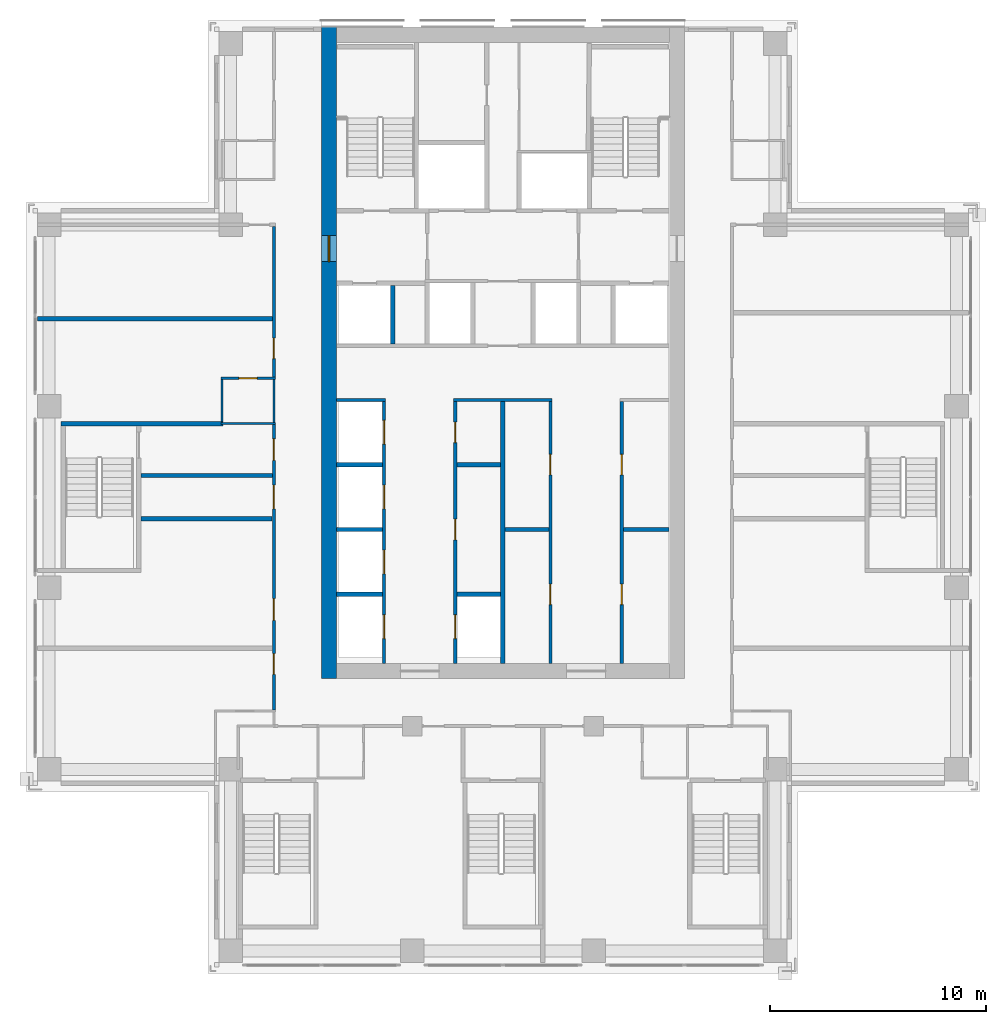
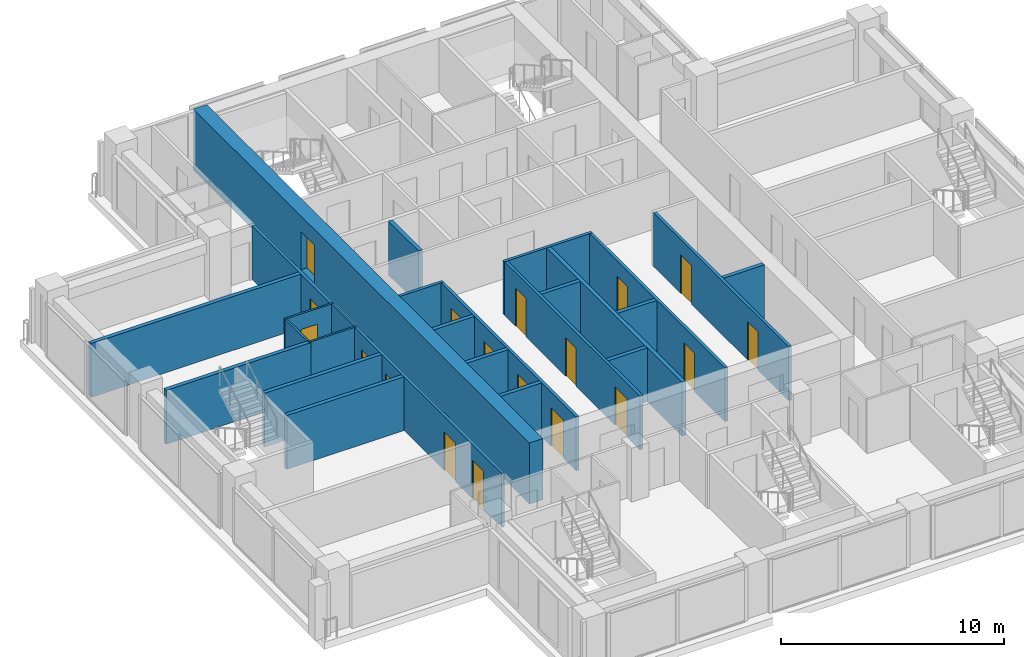
# One storey, part 10 of 16: 26 walls, 18 doors, 18 openings.
"""IFC4 building model written with IfcOpenShell, lengths in metres."""

from ifc_helpers import new_model, si_unit, direction, frame, frame_2d, origin, place, context, subcontext, project, spatial, rectangle, extrude, material, layer, layer_set, type_object, element, fill, save


model = new_model("IFC4")

# Units and contexts
model_context = context("Model", 3, precision=1e-05, world=origin(), true_north=direction((0.0, 1.0)))
body_context = subcontext(model_context, "Body", "Model", "MODEL_VIEW")
ifc_project = project(units=[si_unit("LENGTHUNIT", "METRE"), si_unit("AREAUNIT", "SQUARE_METRE"), si_unit("VOLUMEUNIT", "CUBIC_METRE"), si_unit("PLANEANGLEUNIT", "RADIAN"), si_unit("MASSUNIT", "GRAM", prefix="KILO")], contexts=[model_context])

# Site, building, storey
site_placement = place(None, origin())
site = spatial("IfcSite", under=ifc_project, at=site_placement, CompositionType="ELEMENT")
building_placement = place(site_placement, origin())
building = spatial("IfcBuilding", under=site, at=building_placement, Name="Vermilion Ogive Tower", CompositionType="ELEMENT")
storey_placement = place(building_placement, frame((0.0, 0.0, 167.60009765625)))
storey = spatial("IfcBuildingStorey", under=building, at=storey_placement, Name="L43", CompositionType="ELEMENT", Elevation=167.60009765625)

# Wall
ifc_material_1 = material(Name="Gypsum board partition on steel studs", Category="steel")
ifc_layer_1 = layer(ifc_material_1, 0.10009765625)
ifc_layer_set_1 = layer_set([ifc_layer_1], Name="Partition 100 bath")
wall_type_1 = type_object("IfcWallType", Name="Partition 100 bath", PredefinedType="PARTITIONING", material=ifc_layer_set_1)
wall_1_placement = place(storey_placement, frame((-13.050048828125, 3.39990234375, 0.0), z_axis=(0.0, 0.0, 1.0), x_axis=(1.0, 0.0, 0.0)))
element("IfcWall", 1, at=wall_1_placement, inside=storey, type_object=wall_type_1, Name="L43-W-W025", PredefinedType="PARTITIONING", context=body_context, shape_type="SweptSolid", body=[
    extrude(rectangle(XDim=2.525146484375, YDim=0.10009765625, at=frame_2d((1.2626953125, 0.0))), origin(), (0.0, 0.0, 1.0), 2.949951171875),
])

# Wall, opening, door
wall_2_placement = place(storey_placement, frame((-13.048095703125, 5.5, 0.0), z_axis=(0.0, 0.0, 1.0), x_axis=(1.0, 0.0, 0.0)))
wall_2 = element("IfcWall", 2, at=wall_2_placement, inside=storey, type_object=wall_type_1, Name="L43-W-W027", PredefinedType="PARTITIONING", context=body_context, shape_type="SweptSolid", body=[
    extrude(rectangle(XDim=2.523193359375, YDim=0.10009765625, at=frame_2d((1.26171875, 0.0))), origin(), (0.0, 0.0, 1.0), 2.949951171875),
])
opening_1_placement = place(wall_2_placement, frame((0.822998046875, 0.0, 0.0)))
opening_1 = element("IfcOpeningElement", 3, at=opening_1_placement, cuts=wall_2, Name="Opening D3G5004", PredefinedType="OPENING", context=body_context, shape_type="SweptSolid", body=[
    extrude(rectangle(XDim=0.85009765625, YDim=2.10009765625, at=frame_2d((0.425048828125, 1.050048828125))), frame((0.0, 0.06005859375, 0.0), z_axis=(0.0, -1.0, 0.0), x_axis=(1.0, 0.0, 0.0)), (0.0, 0.0, 1.0), 0.1201171875),
])
ifc_material_2 = material(Name="Timber door leaf", Category="wood")
door_type_1 = type_object("IfcDoorType", Name="Bath door 850 x 2100 FD30", OperationType="SINGLE_SWING_LEFT", PredefinedType="DOOR", material=ifc_material_2)
door_1_placement = place(opening_1_placement, origin())
door_1 = element("IfcDoor", 4, at=door_1_placement, inside=storey, type_object=door_type_1, Name="L43-D-D004", OperationType="SINGLE_SWING_RIGHT", OverallHeight=2.10009765625, OverallWidth=0.85009765625, PredefinedType="DOOR", context=body_context, shape_type="SweptSolid", body=[
    extrude(rectangle(XDim=0.85009765625, YDim=2.10009765625, at=frame_2d((0.425048828125, 1.050048828125))), frame((0.0, 0.02490234375, 0.0), z_axis=(0.0, -1.0, 0.0), x_axis=(1.0, 0.0, 0.0)), (0.0, 0.0, 1.0), 0.050048828125),
])
fill(opening_1, door_1)

# Walls
wall_3_placement = place(storey_placement, frame((-13.0, 3.5, 0.0), z_axis=(0.0, 0.0, 1.0), x_axis=(0.0, 1.0, 0.0)))
element("IfcWall", 5, at=wall_3_placement, inside=storey, type_object=wall_type_1, Name="L43-W-W041", PredefinedType="PARTITIONING", context=body_context, shape_type="SweptSolid", body=[
    extrude(rectangle(XDim=1.947998046875, YDim=0.10009765625, at=frame_2d((0.97412109375, 0.0))), origin(), (0.0, 0.0, 1.0), 2.949951171875),
])
wall_4_placement = place(storey_placement, frame((-10.60009765625, 3.449951171875, 0.0), z_axis=(0.0, 0.0, 1.0), x_axis=(0.0, 1.0, 0.0)))
element("IfcWall", 6, at=wall_4_placement, inside=storey, type_object=wall_type_1, Name="L43-W-W046", PredefinedType="PARTITIONING", context=body_context, shape_type="SweptSolid", body=[
    extrude(rectangle(XDim=2.0, YDim=0.10009765625, at=frame_2d((1.0, 0.0))), origin(), (0.0, 0.0, 1.0), 2.949951171875),
])

# Wall, openings, doors
ifc_material_3 = material(Name="Gypsum board partition on steel studs", Category="steel")
ifc_layer_2 = layer(ifc_material_3, 0.14990234375)
ifc_layer_set_2 = layer_set([ifc_layer_2], Name="Partition 150 corridor")
wall_type_2 = type_object("IfcWallType", Name="Partition 150 corridor", PredefinedType="PARTITIONING", material=ifc_layer_set_2)
wall_5_placement = place(storey_placement, frame((-10.60009765625, -9.85009765625, 0.0), z_axis=(0.0, 0.0, 1.0), x_axis=(0.0, 1.0, 0.0)))
wall_5 = element("IfcWall", 7, at=wall_5_placement, inside=storey, type_object=wall_type_2, Name="L43-W-W045", PredefinedType="PARTITIONING", context=body_context, shape_type="SweptSolid", body=[
    extrude(rectangle(XDim=13.2001953125, YDim=0.14990234375, at=frame_2d((6.60009765625, 0.0))), origin(), (0.0, 0.0, 1.0), 2.949951171875),
])
opening_2_placement = place(wall_5_placement, frame((1.650146484375, 0.0, 0.0)))
opening_2 = element("IfcOpeningElement", 8, at=opening_2_placement, cuts=wall_5, Name="Opening D3G5001", PredefinedType="OPENING", context=body_context, shape_type="SweptSolid", body=[
    extrude(rectangle(XDim=0.949951171875, YDim=2.10009765625, at=frame_2d((0.47509765625, 1.050048828125))), frame((0.0, 0.0849609375, 0.0), z_axis=(0.0, -1.0, 0.0), x_axis=(1.0, 0.0, 0.0)), (0.0, 0.0, 1.0), 0.169921875),
])
opening_3_placement = place(wall_5_placement, frame((9.300048828125, 0.0, 0.0)))
opening_3 = element("IfcOpeningElement", 9, at=opening_3_placement, cuts=wall_5, Name="Opening D3G5026", PredefinedType="OPENING", context=body_context, shape_type="SweptSolid", body=[
    extrude(rectangle(XDim=1.10009765625, YDim=2.10009765625, at=frame_2d((0.550048828125, 1.050048828125))), frame((0.0, 0.0849609375, 0.0), z_axis=(0.0, -1.0, 0.0), x_axis=(1.0, 0.0, 0.0)), (0.0, 0.0, 1.0), 0.169921875),
])
opening_4_placement = place(wall_5_placement, frame((4.150146484375, 0.0, 0.0)))
opening_4 = element("IfcOpeningElement", 10, at=opening_4_placement, cuts=wall_5, Name="Opening D3G5028", PredefinedType="OPENING", context=body_context, shape_type="SweptSolid", body=[
    extrude(rectangle(XDim=1.0, YDim=2.10009765625, at=frame_2d((0.5, 1.050048828125))), frame((0.0, 0.0849609375, 0.0), z_axis=(0.0, -1.0, 0.0), x_axis=(1.0, 0.0, 0.0)), (0.0, 0.0, 1.0), 0.169921875),
])
opening_5_placement = place(wall_5_placement, frame((11.550048828125, 0.0, 0.0)))
opening_5 = element("IfcOpeningElement", 11, at=opening_5_placement, cuts=wall_5, Name="Opening D3G5030", PredefinedType="OPENING", context=body_context, shape_type="SweptSolid", body=[
    extrude(rectangle(XDim=1.0, YDim=2.10009765625, at=frame_2d((0.5, 1.050048828125))), frame((0.0, 0.0849609375, 0.0), z_axis=(0.0, -1.0, 0.0), x_axis=(1.0, 0.0, 0.0)), (0.0, 0.0, 1.0), 0.169921875),
])
ifc_material_4 = material(Name="Timber door leaf", Category="wood")
door_type_2 = type_object("IfcDoorType", Name="Stair door 1100 x 2100 FD60S", OperationType="SINGLE_SWING_LEFT", PredefinedType="DOOR", material=ifc_material_4)
door_2_placement = place(opening_3_placement, origin())
door_2 = element("IfcDoor", 12, at=door_2_placement, inside=storey, type_object=door_type_2, Name="L43-D-D026", OperationType="SINGLE_SWING_RIGHT", OverallHeight=2.10009765625, OverallWidth=1.10009765625, PredefinedType="DOOR", context=body_context, shape_type="SweptSolid", body=[
    extrude(rectangle(XDim=1.10009765625, YDim=2.10009765625, at=frame_2d((0.550048828125, 1.050048828125))), frame((0.0, 0.02490234375, 0.0), z_axis=(0.0, -1.0, 0.0), x_axis=(1.0, 0.0, 0.0)), (0.0, 0.0, 1.0), 0.050048828125),
])
fill(opening_3, door_2)
ifc_material_5 = material(Name="Timber door leaf", Category="wood")
door_type_3 = type_object("IfcDoorType", Name="Unit door 1000 x 2100 FD30S", OperationType="SINGLE_SWING_LEFT", PredefinedType="DOOR", material=ifc_material_5)
door_3_placement = place(opening_4_placement, origin())
door_3 = element("IfcDoor", 13, at=door_3_placement, inside=storey, type_object=door_type_3, Name="L43-D-D028", OperationType="SINGLE_SWING_LEFT", OverallHeight=2.10009765625, OverallWidth=1.0, PredefinedType="DOOR", context=body_context, shape_type="SweptSolid", body=[
    extrude(rectangle(XDim=1.0, YDim=2.10009765625, at=frame_2d((0.5, 1.050048828125))), frame((0.0, 0.02490234375, 0.0), z_axis=(0.0, -1.0, 0.0), x_axis=(1.0, 0.0, 0.0)), (0.0, 0.0, 1.0), 0.050048828125),
])
fill(opening_4, door_3)
door_4_placement = place(opening_5_placement, origin())
door_4 = element("IfcDoor", 14, at=door_4_placement, inside=storey, type_object=door_type_3, Name="L43-D-D030", OperationType="SINGLE_SWING_RIGHT", OverallHeight=2.10009765625, OverallWidth=1.0, PredefinedType="DOOR", context=body_context, shape_type="SweptSolid", body=[
    extrude(rectangle(XDim=1.0, YDim=2.10009765625, at=frame_2d((0.5, 1.050048828125))), frame((0.0, 0.02490234375, 0.0), z_axis=(0.0, -1.0, 0.0), x_axis=(1.0, 0.0, 0.0)), (0.0, 0.0, 1.0), 0.050048828125),
])
fill(opening_5, door_4)
ifc_material_6 = material(Name="Timber door leaf", Category="wood")
door_type_4 = type_object("IfcDoorType", Name="Unit door 950 x 2100 FD30S", OperationType="SINGLE_SWING_LEFT", PredefinedType="DOOR", material=ifc_material_6)
door_5_placement = place(opening_2_placement, origin())
door_5 = element("IfcDoor", 15, at=door_5_placement, inside=storey, type_object=door_type_4, Name="L43-D-D001", OperationType="SINGLE_SWING_RIGHT", OverallHeight=2.10009765625, OverallWidth=0.949951171875, PredefinedType="DOOR", context=body_context, shape_type="SweptSolid", body=[
    extrude(rectangle(XDim=0.949951171875, YDim=2.10009765625, at=frame_2d((0.47509765625, 1.050048828125))), frame((0.0, 0.02490234375, 0.0), z_axis=(0.0, -1.0, 0.0), x_axis=(1.0, 0.0, 0.0)), (0.0, 0.0, 1.0), 0.050048828125),
])
fill(opening_2, door_5)

# Wall, opening, door
wall_6_placement = place(storey_placement, frame((-10.60009765625, 5.550048828125, 0.0), z_axis=(0.0, 0.0, 1.0), x_axis=(0.0, 1.0, 0.0)))
wall_6 = element("IfcWall", 16, at=wall_6_placement, inside=storey, type_object=wall_type_2, Name="L43-W-W047", PredefinedType="PARTITIONING", context=body_context, shape_type="SweptSolid", body=[
    extrude(rectangle(XDim=6.974853515625, YDim=0.14990234375, at=frame_2d((3.4873046875, 0.0))), origin(), (0.0, 0.0, 1.0), 2.949951171875),
])
opening_6_placement = place(wall_6_placement, frame((0.85498046875, 0.0, 0.0)))
opening_6 = element("IfcOpeningElement", 17, at=opening_6_placement, cuts=wall_6, Name="Opening D3G5003", PredefinedType="OPENING", context=body_context, shape_type="SweptSolid", body=[
    extrude(rectangle(XDim=0.949951171875, YDim=2.10009765625, at=frame_2d((0.47509765625, 1.050048828125))), frame((0.0, 0.0849609375, 0.0), z_axis=(0.0, -1.0, 0.0), x_axis=(1.0, 0.0, 0.0)), (0.0, 0.0, 1.0), 0.169921875),
])
door_6_placement = place(opening_6_placement, origin())
door_6 = element("IfcDoor", 18, at=door_6_placement, inside=storey, type_object=door_type_4, Name="L43-D-D003", OperationType="SINGLE_SWING_LEFT", OverallHeight=2.10009765625, OverallWidth=0.949951171875, PredefinedType="DOOR", context=body_context, shape_type="SweptSolid", body=[
    extrude(rectangle(XDim=0.949951171875, YDim=2.10009765625, at=frame_2d((0.47509765625, 1.050048828125))), frame((0.0, 0.02490234375, 0.0), z_axis=(0.0, -1.0, 0.0), x_axis=(1.0, 0.0, 0.0)), (0.0, 0.0, 1.0), 0.050048828125),
])
fill(opening_6, door_6)

# Walls
wall_7_placement = place(storey_placement, frame((-7.698974609375, 4.5, 0.0), z_axis=(0.0, 0.0, 1.0), x_axis=(1.0, 0.0, 0.0)))
element("IfcWall", 19, at=wall_7_placement, inside=storey, type_object=wall_type_2, Name="L43-CK-W-W008", PredefinedType="PARTITIONING", context=body_context, shape_type="SweptSolid", body=[
    extrude(rectangle(XDim=2.27392578125, YDim=0.14990234375, at=frame_2d((1.136962890625, 0.0))), origin(), (0.0, 0.0, 1.0), 2.949951171875),
])
wall_8_placement = place(storey_placement, frame((-2.27490234375, 4.5, 0.0), z_axis=(0.0, 0.0, 1.0), x_axis=(1.0, 0.0, 0.0)))
element("IfcWall", 20, at=wall_8_placement, inside=storey, type_object=wall_type_2, Name="L43-CK-W-W009", PredefinedType="PARTITIONING", context=body_context, shape_type="SweptSolid", body=[
    extrude(rectangle(XDim=4.5498046875, YDim=0.14990234375, at=frame_2d((2.27490234375, 0.0))), origin(), (0.0, 0.0, 1.0), 2.949951171875),
])

# Wall, openings, doors
wall_9_placement = place(storey_placement, frame((-5.5, -7.698974609375, 0.0), z_axis=(0.0, 0.0, 1.0), x_axis=(0.0, 1.0, 0.0)))
wall_9 = element("IfcWall", 21, at=wall_9_placement, inside=storey, type_object=wall_type_2, Name="L43-CK-W-W020", PredefinedType="PARTITIONING", context=body_context, shape_type="SweptSolid", body=[
    extrude(rectangle(XDim=12.1240234375, YDim=0.14990234375, at=frame_2d((6.06201171875, 0.0))), origin(), (0.0, 0.0, 1.0), 2.949951171875),
])
opening_7_placement = place(wall_9_placement, frame((1.14892578125, 0.0, 0.0)))
opening_7 = element("IfcOpeningElement", 22, at=opening_7_placement, cuts=wall_9, Name="Opening DAA386", PredefinedType="OPENING", context=body_context, shape_type="SweptSolid", body=[
    extrude(rectangle(XDim=1.10009765625, YDim=2.10009765625, at=frame_2d((0.550048828125, 1.050048828125))), frame((0.0, 0.0849609375, 0.0), z_axis=(0.0, -1.0, 0.0), x_axis=(1.0, 0.0, 0.0)), (0.0, 0.0, 1.0), 0.169921875),
])
opening_8_placement = place(wall_9_placement, frame((4.14892578125, 0.0, 0.0)))
opening_8 = element("IfcOpeningElement", 23, at=opening_8_placement, cuts=wall_9, Name="Opening DAA387", PredefinedType="OPENING", context=body_context, shape_type="SweptSolid", body=[
    extrude(rectangle(XDim=1.10009765625, YDim=2.10009765625, at=frame_2d((0.550048828125, 1.050048828125))), frame((0.0, 0.0849609375, 0.0), z_axis=(0.0, -1.0, 0.0), x_axis=(1.0, 0.0, 0.0)), (0.0, 0.0, 1.0), 0.169921875),
])
opening_9_placement = place(wall_9_placement, frame((7.14892578125, 0.0, 0.0)))
opening_9 = element("IfcOpeningElement", 24, at=opening_9_placement, cuts=wall_9, Name="Opening DAA388", PredefinedType="OPENING", context=body_context, shape_type="SweptSolid", body=[
    extrude(rectangle(XDim=1.10009765625, YDim=2.10009765625, at=frame_2d((0.550048828125, 1.050048828125))), frame((0.0, 0.0849609375, 0.0), z_axis=(0.0, -1.0, 0.0), x_axis=(1.0, 0.0, 0.0)), (0.0, 0.0, 1.0), 0.169921875),
])
opening_10_placement = place(wall_9_placement, frame((10.14892578125, 0.0, 0.0)))
opening_10 = element("IfcOpeningElement", 25, at=opening_10_placement, cuts=wall_9, Name="Opening DAA389", PredefinedType="OPENING", context=body_context, shape_type="SweptSolid", body=[
    extrude(rectangle(XDim=1.10009765625, YDim=2.10009765625, at=frame_2d((0.550048828125, 1.050048828125))), frame((0.0, 0.0849609375, 0.0), z_axis=(0.0, -1.0, 0.0), x_axis=(1.0, 0.0, 0.0)), (0.0, 0.0, 1.0), 0.169921875),
])
ifc_material_7 = material(Name="Stainless steel", Category="steel")
door_type_5 = type_object("IfcDoorType", Name="Lift landing door 1100 x 2100", OperationType="SLIDING_TO_LEFT", PredefinedType="DOOR", material=ifc_material_7)
door_7_placement = place(opening_7_placement, origin())
door_7 = element("IfcDoor", 26, at=door_7_placement, inside=storey, type_object=door_type_5, Name="L43-CK-D-D001", OperationType="SLIDING_TO_LEFT", OverallHeight=2.10009765625, OverallWidth=1.10009765625, PredefinedType="DOOR", context=body_context, shape_type="SweptSolid", body=[
    extrude(rectangle(XDim=1.10009765625, YDim=2.10009765625, at=frame_2d((0.550048828125, 1.050048828125))), frame((0.0, 0.02490234375, 0.0), z_axis=(0.0, -1.0, 0.0), x_axis=(1.0, 0.0, 0.0)), (0.0, 0.0, 1.0), 0.050048828125),
])
fill(opening_7, door_7)
door_8_placement = place(opening_8_placement, origin())
door_8 = element("IfcDoor", 27, at=door_8_placement, inside=storey, type_object=door_type_5, Name="L43-CK-D-D002", OperationType="SLIDING_TO_LEFT", OverallHeight=2.10009765625, OverallWidth=1.10009765625, PredefinedType="DOOR", context=body_context, shape_type="SweptSolid", body=[
    extrude(rectangle(XDim=1.10009765625, YDim=2.10009765625, at=frame_2d((0.550048828125, 1.050048828125))), frame((0.0, 0.02490234375, 0.0), z_axis=(0.0, -1.0, 0.0), x_axis=(1.0, 0.0, 0.0)), (0.0, 0.0, 1.0), 0.050048828125),
])
fill(opening_8, door_8)
door_9_placement = place(opening_9_placement, origin())
door_9 = element("IfcDoor", 28, at=door_9_placement, inside=storey, type_object=door_type_5, Name="L43-CK-D-D003", OperationType="SLIDING_TO_LEFT", OverallHeight=2.10009765625, OverallWidth=1.10009765625, PredefinedType="DOOR", context=body_context, shape_type="SweptSolid", body=[
    extrude(rectangle(XDim=1.10009765625, YDim=2.10009765625, at=frame_2d((0.550048828125, 1.050048828125))), frame((0.0, 0.02490234375, 0.0), z_axis=(0.0, -1.0, 0.0), x_axis=(1.0, 0.0, 0.0)), (0.0, 0.0, 1.0), 0.050048828125),
])
fill(opening_9, door_9)
door_10_placement = place(opening_10_placement, origin())
door_10 = element("IfcDoor", 29, at=door_10_placement, inside=storey, type_object=door_type_5, Name="L43-CK-D-D004", OperationType="SLIDING_TO_LEFT", OverallHeight=2.10009765625, OverallWidth=1.10009765625, PredefinedType="DOOR", context=body_context, shape_type="SweptSolid", body=[
    extrude(rectangle(XDim=1.10009765625, YDim=2.10009765625, at=frame_2d((0.550048828125, 1.050048828125))), frame((0.0, 0.02490234375, 0.0), z_axis=(0.0, -1.0, 0.0), x_axis=(1.0, 0.0, 0.0)), (0.0, 0.0, 1.0), 0.050048828125),
])
fill(opening_10, door_10)

wall_10_placement = place(storey_placement, frame((-2.199951171875, -7.698974609375, 0.0), z_axis=(0.0, 0.0, 1.0), x_axis=(0.0, 1.0, 0.0)))
wall_10 = element("IfcWall", 30, at=wall_10_placement, inside=storey, type_object=wall_type_2, Name="L43-CK-W-W025", PredefinedType="PARTITIONING", context=body_context, shape_type="SweptSolid", body=[
    extrude(rectangle(XDim=12.1240234375, YDim=0.14990234375, at=frame_2d((6.06201171875, 0.0))), origin(), (0.0, 0.0, 1.0), 2.949951171875),
])
opening_11_placement = place(wall_10_placement, frame((1.14892578125, 0.0, 0.0)))
opening_11 = element("IfcOpeningElement", 31, at=opening_11_placement, cuts=wall_10, Name="Opening DAA390", PredefinedType="OPENING", context=body_context, shape_type="SweptSolid", body=[
    extrude(rectangle(XDim=1.10009765625, YDim=2.10009765625, at=frame_2d((0.550048828125, 1.050048828125))), frame((0.0, 0.0849609375, 0.0), z_axis=(0.0, -1.0, 0.0), x_axis=(1.0, 0.0, 0.0)), (0.0, 0.0, 1.0), 0.169921875),
])
opening_12_placement = place(wall_10_placement, frame((5.723876953125, 0.0, 0.0)))
opening_12 = element("IfcOpeningElement", 32, at=opening_12_placement, cuts=wall_10, Name="Opening DAA376", PredefinedType="OPENING", context=body_context, shape_type="SweptSolid", body=[
    extrude(rectangle(XDim=0.949951171875, YDim=2.10009765625, at=frame_2d((0.47509765625, 1.050048828125))), frame((0.0, 0.0849609375, 0.0), z_axis=(0.0, -1.0, 0.0), x_axis=(1.0, 0.0, 0.0)), (0.0, 0.0, 1.0), 0.169921875),
])
opening_13_placement = place(wall_10_placement, frame((10.223876953125, 0.0, 0.0)))
opening_13 = element("IfcOpeningElement", 33, at=opening_13_placement, cuts=wall_10, Name="Opening DAA377", PredefinedType="OPENING", context=body_context, shape_type="SweptSolid", body=[
    extrude(rectangle(XDim=0.949951171875, YDim=2.10009765625, at=frame_2d((0.47509765625, 1.050048828125))), frame((0.0, 0.0849609375, 0.0), z_axis=(0.0, -1.0, 0.0), x_axis=(1.0, 0.0, 0.0)), (0.0, 0.0, 1.0), 0.169921875),
])
door_11_placement = place(opening_11_placement, origin())
door_11 = element("IfcDoor", 34, at=door_11_placement, inside=storey, type_object=door_type_5, Name="L43-CK-D-D005", OperationType="SLIDING_TO_LEFT", OverallHeight=2.10009765625, OverallWidth=1.10009765625, PredefinedType="DOOR", context=body_context, shape_type="SweptSolid", body=[
    extrude(rectangle(XDim=1.10009765625, YDim=2.10009765625, at=frame_2d((0.550048828125, 1.050048828125))), frame((0.0, 0.02490234375, 0.0), z_axis=(0.0, -1.0, 0.0), x_axis=(1.0, 0.0, 0.0)), (0.0, 0.0, 1.0), 0.050048828125),
])
fill(opening_11, door_11)
ifc_material_8 = material(Name="Timber door leaf", Category="wood")
door_type_6 = type_object("IfcDoorType", Name="Service door 950 x 2100 FD60", OperationType="SINGLE_SWING_LEFT", PredefinedType="DOOR", material=ifc_material_8)
door_12_placement = place(opening_12_placement, origin())
door_12 = element("IfcDoor", 35, at=door_12_placement, inside=storey, type_object=door_type_6, Name="L43-CK-D-D006", OperationType="SINGLE_SWING_LEFT", OverallHeight=2.10009765625, OverallWidth=0.949951171875, PredefinedType="DOOR", context=body_context, shape_type="SweptSolid", body=[
    extrude(rectangle(XDim=0.949951171875, YDim=2.10009765625, at=frame_2d((0.47509765625, 1.050048828125))), frame((0.0, 0.02490234375, 0.0), z_axis=(0.0, -1.0, 0.0), x_axis=(1.0, 0.0, 0.0)), (0.0, 0.0, 1.0), 0.050048828125),
])
fill(opening_12, door_12)
door_13_placement = place(opening_13_placement, origin())
door_13 = element("IfcDoor", 36, at=door_13_placement, inside=storey, type_object=door_type_6, Name="L43-CK-D-D007", OperationType="SINGLE_SWING_RIGHT", OverallHeight=2.10009765625, OverallWidth=0.949951171875, PredefinedType="DOOR", context=body_context, shape_type="SweptSolid", body=[
    extrude(rectangle(XDim=0.949951171875, YDim=2.10009765625, at=frame_2d((0.47509765625, 1.050048828125))), frame((0.0, 0.02490234375, 0.0), z_axis=(0.0, -1.0, 0.0), x_axis=(1.0, 0.0, 0.0)), (0.0, 0.0, 1.0), 0.050048828125),
])
fill(opening_13, door_13)

wall_11_placement = place(storey_placement, frame((2.199951171875, -7.698974609375, 0.0), z_axis=(0.0, 0.0, 1.0), x_axis=(0.0, 1.0, 0.0)))
wall_11 = element("IfcWall", 37, at=wall_11_placement, inside=storey, type_object=wall_type_2, Name="L43-CK-W-W032", PredefinedType="PARTITIONING", context=body_context, shape_type="SweptSolid", body=[
    extrude(rectangle(XDim=12.1240234375, YDim=0.14990234375, at=frame_2d((6.06201171875, 0.0))), origin(), (0.0, 0.0, 1.0), 2.949951171875),
])
opening_14_placement = place(wall_11_placement, frame((2.723876953125, 0.0, 0.0)))
opening_14 = element("IfcOpeningElement", 38, at=opening_14_placement, cuts=wall_11, Name="Opening DAA378", PredefinedType="OPENING", context=body_context, shape_type="SweptSolid", body=[
    extrude(rectangle(XDim=0.949951171875, YDim=2.10009765625, at=frame_2d((0.47509765625, 1.050048828125))), frame((0.0, 0.0849609375, 0.0), z_axis=(0.0, -1.0, 0.0), x_axis=(1.0, 0.0, 0.0)), (0.0, 0.0, 1.0), 0.169921875),
])
opening_15_placement = place(wall_11_placement, frame((8.723876953125, 0.0, 0.0)))
opening_15 = element("IfcOpeningElement", 39, at=opening_15_placement, cuts=wall_11, Name="Opening DAA379", PredefinedType="OPENING", context=body_context, shape_type="SweptSolid", body=[
    extrude(rectangle(XDim=0.949951171875, YDim=2.10009765625, at=frame_2d((0.47509765625, 1.050048828125))), frame((0.0, 0.0849609375, 0.0), z_axis=(0.0, -1.0, 0.0), x_axis=(1.0, 0.0, 0.0)), (0.0, 0.0, 1.0), 0.169921875),
])
door_14_placement = place(opening_14_placement, origin())
door_14 = element("IfcDoor", 40, at=door_14_placement, inside=storey, type_object=door_type_6, Name="L43-CK-D-D008", OperationType="SINGLE_SWING_RIGHT", OverallHeight=2.10009765625, OverallWidth=0.949951171875, PredefinedType="DOOR", context=body_context, shape_type="SweptSolid", body=[
    extrude(rectangle(XDim=0.949951171875, YDim=2.10009765625, at=frame_2d((0.47509765625, 1.050048828125))), frame((0.0, 0.02490234375, 0.0), z_axis=(0.0, -1.0, 0.0), x_axis=(1.0, 0.0, 0.0)), (0.0, 0.0, 1.0), 0.050048828125),
])
fill(opening_14, door_14)
door_15_placement = place(opening_15_placement, origin())
door_15 = element("IfcDoor", 41, at=door_15_placement, inside=storey, type_object=door_type_6, Name="L43-CK-D-D009", OperationType="SINGLE_SWING_RIGHT", OverallHeight=2.10009765625, OverallWidth=0.949951171875, PredefinedType="DOOR", context=body_context, shape_type="SweptSolid", body=[
    extrude(rectangle(XDim=0.949951171875, YDim=2.10009765625, at=frame_2d((0.47509765625, 1.050048828125))), frame((0.0, 0.02490234375, 0.0), z_axis=(0.0, -1.0, 0.0), x_axis=(1.0, 0.0, 0.0)), (0.0, 0.0, 1.0), 0.050048828125),
])
fill(opening_15, door_15)

wall_12_placement = place(storey_placement, frame((5.5, -7.698974609375, 0.0), z_axis=(0.0, 0.0, 1.0), x_axis=(0.0, 1.0, 0.0)))
wall_12 = element("IfcWall", 42, at=wall_12_placement, inside=storey, type_object=wall_type_2, Name="L43-CK-W-W038", PredefinedType="PARTITIONING", context=body_context, shape_type="SweptSolid", body=[
    extrude(rectangle(XDim=12.1240234375, YDim=0.14990234375, at=frame_2d((6.06201171875, 0.0))), origin(), (0.0, 0.0, 1.0), 2.949951171875),
])
opening_16_placement = place(wall_12_placement, frame((2.723876953125, 0.0, 0.0)))
opening_16 = element("IfcOpeningElement", 43, at=opening_16_placement, cuts=wall_12, Name="Opening DAA380", PredefinedType="OPENING", context=body_context, shape_type="SweptSolid", body=[
    extrude(rectangle(XDim=0.949951171875, YDim=2.10009765625, at=frame_2d((0.47509765625, 1.050048828125))), frame((0.0, 0.0849609375, 0.0), z_axis=(0.0, -1.0, 0.0), x_axis=(1.0, 0.0, 0.0)), (0.0, 0.0, 1.0), 0.169921875),
])
opening_17_placement = place(wall_12_placement, frame((8.723876953125, 0.0, 0.0)))
opening_17 = element("IfcOpeningElement", 44, at=opening_17_placement, cuts=wall_12, Name="Opening DAA381", PredefinedType="OPENING", context=body_context, shape_type="SweptSolid", body=[
    extrude(rectangle(XDim=0.949951171875, YDim=2.10009765625, at=frame_2d((0.47509765625, 1.050048828125))), frame((0.0, 0.0849609375, 0.0), z_axis=(0.0, -1.0, 0.0), x_axis=(1.0, 0.0, 0.0)), (0.0, 0.0, 1.0), 0.169921875),
])
door_16_placement = place(opening_16_placement, origin())
door_16 = element("IfcDoor", 45, at=door_16_placement, inside=storey, type_object=door_type_6, Name="L43-CK-D-D010", OperationType="SINGLE_SWING_LEFT", OverallHeight=2.10009765625, OverallWidth=0.949951171875, PredefinedType="DOOR", context=body_context, shape_type="SweptSolid", body=[
    extrude(rectangle(XDim=0.949951171875, YDim=2.10009765625, at=frame_2d((0.47509765625, 1.050048828125))), frame((0.0, 0.02490234375, 0.0), z_axis=(0.0, -1.0, 0.0), x_axis=(1.0, 0.0, 0.0)), (0.0, 0.0, 1.0), 0.050048828125),
])
fill(opening_16, door_16)
door_17_placement = place(opening_17_placement, origin())
door_17 = element("IfcDoor", 46, at=door_17_placement, inside=storey, type_object=door_type_6, Name="L43-CK-D-D011", OperationType="SINGLE_SWING_LEFT", OverallHeight=2.10009765625, OverallWidth=0.949951171875, PredefinedType="DOOR", context=body_context, shape_type="SweptSolid", body=[
    extrude(rectangle(XDim=0.949951171875, YDim=2.10009765625, at=frame_2d((0.47509765625, 1.050048828125))), frame((0.0, 0.02490234375, 0.0), z_axis=(0.0, -1.0, 0.0), x_axis=(1.0, 0.0, 0.0)), (0.0, 0.0, 1.0), 0.050048828125),
])
fill(opening_17, door_17)

# Walls
ifc_material_9 = material(Name="Gypsum board partition on steel studs", Category="steel")
ifc_layer_3 = layer(ifc_material_9, 0.199951171875)
ifc_layer_set_3 = layer_set([ifc_layer_3], Name="Partition 200 party")
wall_type_3 = type_object("IfcWallType", Name="Partition 200 party", PredefinedType="PARTITIONING", material=ifc_layer_set_3)
wall_13_placement = place(storey_placement, frame((-16.748046875, -1.0, 0.0), z_axis=(0.0, 0.0, 1.0), x_axis=(1.0, 0.0, 0.0)))
element("IfcWall", 47, at=wall_13_placement, inside=storey, type_object=wall_type_3, Name="L43-W-W020", PredefinedType="PARTITIONING", context=body_context, shape_type="SweptSolid", body=[
    extrude(rectangle(XDim=6.071044921875, YDim=0.199951171875, at=frame_2d((3.03564453125, 0.0))), origin(), (0.0, 0.0, 1.0), 2.949951171875),
])
wall_14_placement = place(storey_placement, frame((-16.75, 1.0, 0.0), z_axis=(0.0, 0.0, 1.0), x_axis=(1.0, 0.0, 0.0)))
element("IfcWall", 48, at=wall_14_placement, inside=storey, type_object=wall_type_3, Name="L43-W-W022", PredefinedType="PARTITIONING", context=body_context, shape_type="SweptSolid", body=[
    extrude(rectangle(XDim=6.074951171875, YDim=0.199951171875, at=frame_2d((3.03759765625, 0.0))), origin(), (0.0, 0.0, 1.0), 2.949951171875),
])
wall_15_placement = place(storey_placement, frame((-21.550048828125, 8.260009765625, 0.0), z_axis=(0.0, 0.0, 1.0), x_axis=(1.0, 0.0, 0.0)))
element("IfcWall", 49, at=wall_15_placement, inside=storey, type_object=wall_type_3, Name="L43-W-W028", PredefinedType="PARTITIONING", context=body_context, shape_type="SweptSolid", body=[
    extrude(rectangle(XDim=10.875, YDim=0.199951171875, at=frame_2d((5.4375, 0.0))), origin(), (0.0, 0.0, 1.0), 2.949951171875),
])
wall_16_placement = place(storey_placement, frame((-7.698974609375, -4.5, 0.0), z_axis=(0.0, 0.0, 1.0), x_axis=(1.0, 0.0, 0.0)))
element("IfcWall", 50, at=wall_16_placement, inside=storey, type_object=wall_type_3, Name="L43-CK-W-W001", PredefinedType="PARTITIONING", context=body_context, shape_type="SweptSolid", body=[
    extrude(rectangle(XDim=2.1240234375, YDim=0.199951171875, at=frame_2d((1.06201171875, 0.0))), origin(), (0.0, 0.0, 1.0), 2.949951171875),
])
wall_17_placement = place(storey_placement, frame((-2.125, -4.5, 0.0), z_axis=(0.0, 0.0, 1.0), x_axis=(1.0, 0.0, 0.0)))
element("IfcWall", 51, at=wall_17_placement, inside=storey, type_object=wall_type_3, Name="L43-CK-W-W002", PredefinedType="PARTITIONING", context=body_context, shape_type="SweptSolid", body=[
    extrude(rectangle(XDim=2.02490234375, YDim=0.199951171875, at=frame_2d((1.012451171875, 0.0))), origin(), (0.0, 0.0, 1.0), 2.949951171875),
])
wall_18_placement = place(storey_placement, frame((-7.698974609375, -1.5, 0.0), z_axis=(0.0, 0.0, 1.0), x_axis=(1.0, 0.0, 0.0)))
element("IfcWall", 52, at=wall_18_placement, inside=storey, type_object=wall_type_3, Name="L43-CK-W-W003", PredefinedType="PARTITIONING", context=body_context, shape_type="SweptSolid", body=[
    extrude(rectangle(XDim=2.1240234375, YDim=0.199951171875, at=frame_2d((1.06201171875, 0.0))), origin(), (0.0, 0.0, 1.0), 2.949951171875),
])
wall_19_placement = place(storey_placement, frame((0.10009765625, -1.5, 0.0), z_axis=(0.0, 0.0, 1.0), x_axis=(1.0, 0.0, 0.0)))
element("IfcWall", 53, at=wall_19_placement, inside=storey, type_object=wall_type_3, Name="L43-CK-W-W004", PredefinedType="PARTITIONING", context=body_context, shape_type="SweptSolid", body=[
    extrude(rectangle(XDim=2.02490234375, YDim=0.199951171875, at=frame_2d((1.012451171875, 0.0))), origin(), (0.0, 0.0, 1.0), 2.949951171875),
])
for number, where, z_axis, x_axis, name in (
    (54, (5.574951171875, -1.5, 0.0), (0.0, 0.0, 1.0), (1.0, 0.0, 0.0), "L43-CK-W-W005"),
    (55, (-7.698974609375, 1.5, 0.0), (0.0, 0.0, 1.0), (1.0, 0.0, 0.0), "L43-CK-W-W006"),
):
    element("IfcWall", number, at=place(storey_placement, frame(where, z_axis=z_axis, x_axis=x_axis)), inside=storey, type_object=wall_type_3, Name=name, PredefinedType="PARTITIONING", context=body_context, shape_type="SweptSolid", body=[
        extrude(rectangle(XDim=2.1240234375, YDim=0.199951171875, at=frame_2d((1.06201171875, 0.0))), origin(), (0.0, 0.0, 1.0), 2.949951171875),
    ])
wall_20_placement = place(storey_placement, frame((-2.125, 1.5, 0.0), z_axis=(0.0, 0.0, 1.0), x_axis=(1.0, 0.0, 0.0)))
element("IfcWall", 56, at=wall_20_placement, inside=storey, type_object=wall_type_3, Name="L43-CK-W-W007", PredefinedType="PARTITIONING", context=body_context, shape_type="SweptSolid", body=[
    extrude(rectangle(XDim=2.02490234375, YDim=0.199951171875, at=frame_2d((1.012451171875, 0.0))), origin(), (0.0, 0.0, 1.0), 2.949951171875),
])
wall_21_placement = place(storey_placement, frame((-5.10009765625, 7.074951171875, 0.0), z_axis=(0.0, 0.0, 1.0), x_axis=(0.0, 1.0, 0.0)))
element("IfcWall", 57, at=wall_21_placement, inside=storey, type_object=wall_type_3, Name="L43-CK-W-W021", PredefinedType="PARTITIONING", context=body_context, shape_type="SweptSolid", body=[
    extrude(rectangle(XDim=2.72509765625, YDim=0.199951171875, at=frame_2d((1.362548828125, 0.0))), origin(), (0.0, 0.0, 1.0), 2.949951171875),
])
wall_22_placement = place(storey_placement, frame((0.0, -7.698974609375, 0.0), z_axis=(0.0, 0.0, 1.0), x_axis=(0.0, 1.0, 0.0)))
element("IfcWall", 58, at=wall_22_placement, inside=storey, type_object=wall_type_3, Name="L43-CK-W-W028", PredefinedType="PARTITIONING", context=body_context, shape_type="SweptSolid", body=[
    extrude(rectangle(XDim=12.1240234375, YDim=0.199951171875, at=frame_2d((6.06201171875, 0.0))), origin(), (0.0, 0.0, 1.0), 2.949951171875),
])

# Wall, opening, door
ifc_material_10 = material(Name="Concrete B60", Category="concrete")
ifc_layer_4 = layer(ifc_material_10, 0.199951171875)
ifc_layer_set_4 = layer_set([ifc_layer_4], Name="Stair shaft wall 200 Concrete B60")
wall_type_4 = type_object("IfcWallType", Name="Stair shaft wall 200 Concrete B60", PredefinedType="SOLIDWALL", material=ifc_layer_set_4)
wall_23_placement = place(storey_placement, frame((-8.050048828125, -8.39990234375, -0.400146484375), z_axis=(0.0, 0.0, 1.0), x_axis=(0.0, 1.0, 0.0)))
wall_23 = element("IfcWall", 59, at=wall_23_placement, inside=storey, type_object=wall_type_4, Name="L43-CORE-W", PredefinedType="SOLIDWALL", context=body_context, shape_type="SweptSolid", body=[
    extrude(rectangle(XDim=30.14990234375, YDim=0.699951171875, at=frame_2d((15.074951171875, 0.0))), origin(), (0.0, 0.0, 1.0), 3.35009765625),
])
opening_18_placement = place(wall_23_placement, frame((19.300048828125, 0.0, 0.39990234375)))
opening_18 = element("IfcOpeningElement", 60, at=opening_18_placement, cuts=wall_23, Name="Opening DAM017", PredefinedType="OPENING", context=body_context, shape_type="SweptSolid", body=[
    extrude(rectangle(XDim=1.199951171875, YDim=2.10009765625, at=frame_2d((0.60009765625, 1.050048828125))), frame((0.0, 0.35986328125, 0.0), z_axis=(0.0, -1.0, 0.0), x_axis=(1.0, 0.0, 0.0)), (0.0, 0.0, 1.0), 0.719970703125),
])
ifc_material_11 = material(Name="Timber door leaf", Category="wood")
door_type_7 = type_object("IfcDoorType", Name="Link door 1200 x 2100 FD60S", OperationType="SINGLE_SWING_LEFT", PredefinedType="DOOR", material=ifc_material_11)
door_18_placement = place(opening_18_placement, origin())
door_18 = element("IfcDoor", 61, at=door_18_placement, inside=storey, type_object=door_type_7, Name="L43-CK-XD3", OperationType="SINGLE_SWING_LEFT", OverallHeight=2.10009765625, OverallWidth=1.199951171875, PredefinedType="DOOR", context=body_context, shape_type="SweptSolid", body=[
    extrude(rectangle(XDim=1.199951171875, YDim=2.10009765625, at=frame_2d((0.60009765625, 1.050048828125))), frame((0.0, 0.02490234375, 0.0), z_axis=(0.0, -1.0, 0.0), x_axis=(1.0, 0.0, 0.0)), (0.0, 0.0, 1.0), 0.050048828125),
])
fill(opening_18, door_18)

# Wall
wall_24_placement = place(storey_placement, frame((-20.447998046875, 3.39990234375, 0.0), z_axis=(0.0, 0.0, 1.0), x_axis=(1.0, 0.0, 0.0)))
element("IfcWall", 62, at=wall_24_placement, inside=storey, type_object=wall_type_4, Name="L43-W-W024", PredefinedType="SOLIDWALL", context=body_context, shape_type="SweptSolid", body=[
    extrude(rectangle(XDim=7.498046875, YDim=0.199951171875, at=frame_2d((3.7490234375, 0.0))), origin(), (0.0, 0.0, 1.0), 2.949951171875),
])

save(model, "model.ifc")
